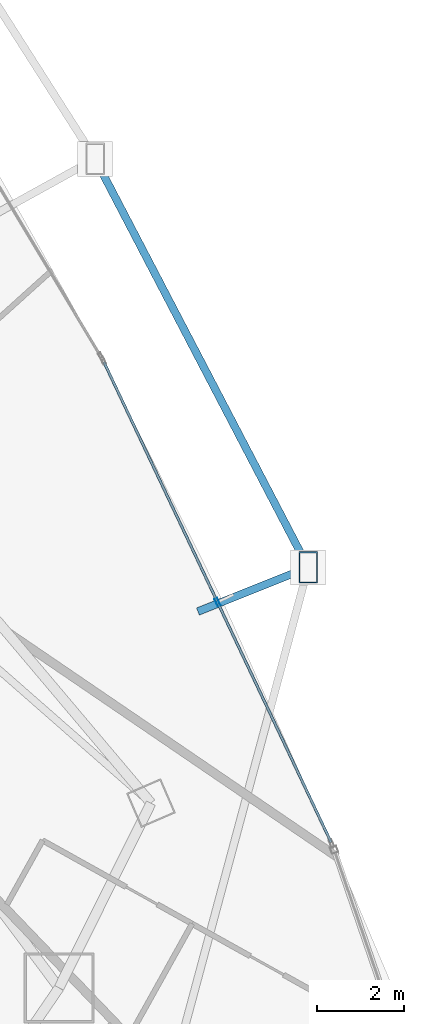
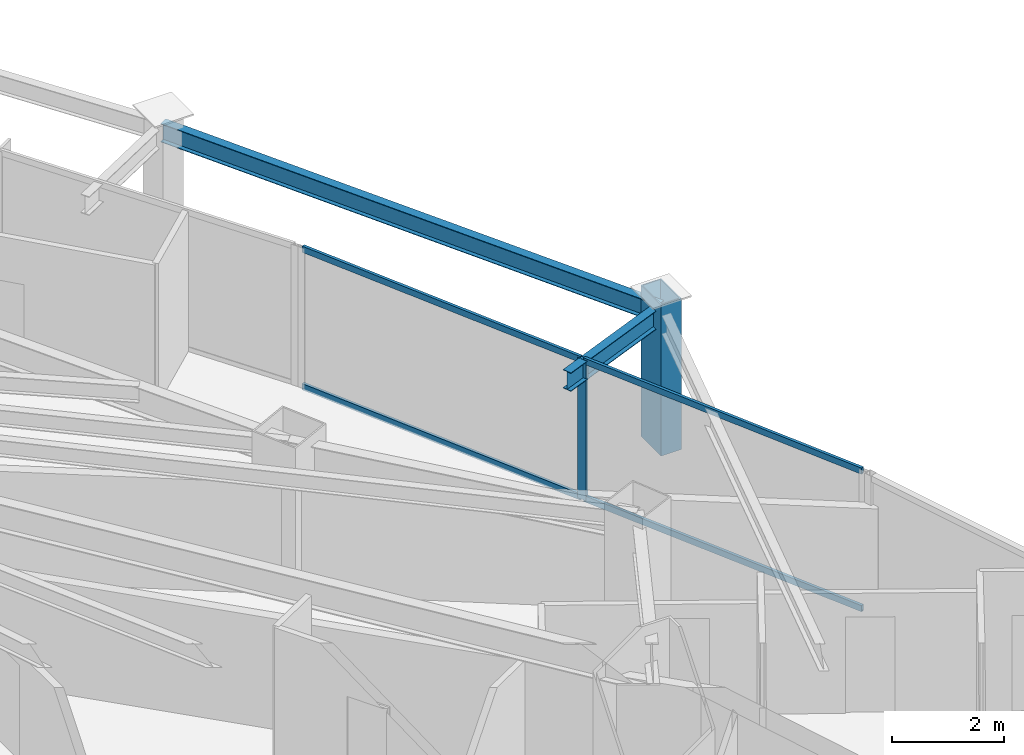
# One storey, part 19 of 34: 6 members, 2 beams, 1 element without a shape of its own.
"""IFC4 building model written with IfcOpenShell, lengths in metres."""

from ifc_helpers import new_model, si_unit, direction, frame, origin, origin_2d, place, context, subcontext, project, spatial, hollow_rectangle, i_section, extrude, material, layer, layer_set, material_profile, profile_set, type_object, element, aggregate, save


model = new_model("IFC4")

# Units and contexts
model_context = context("Model", 3, precision=1e-05, world=origin(), true_north=direction((0.0, 1.0)))
body_context = subcontext(model_context, "Body", "Model", "MODEL_VIEW")
ifc_project = project(units=[si_unit("LENGTHUNIT", "METRE"), si_unit("AREAUNIT", "SQUARE_METRE"), si_unit("VOLUMEUNIT", "CUBIC_METRE"), si_unit("PLANEANGLEUNIT", "RADIAN"), si_unit("MASSUNIT", "GRAM", prefix="KILO")], contexts=[model_context])

# Site, building, storey
site_placement = place(None, origin())
site = spatial("IfcSite", under=ifc_project, at=site_placement, CompositionType="ELEMENT")
building_placement = place(site_placement, origin())
building = spatial("IfcBuilding", under=site, at=building_placement, Name="Orvanel Arch Residences", CompositionType="ELEMENT")
storey_placement = place(building_placement, frame((0.0, 0.0, 80.75)))
storey = spatial("IfcBuildingStorey", under=building, at=storey_placement, Name="L22", CompositionType="ELEMENT", Elevation=80.75)

# Member
ifc_material_1 = material(Name="Structural steel AS/NZS 3678 Grade 350", Category="steel")
ifc_material_profile_1 = material_profile(ifc_material_1, hollow_rectangle(XDim=0.419921875, YDim=0.719970703125, WallThickness=0.02490234375, at=origin_2d()), Name="RHS720x420x25")
ifc_profile_set_1 = profile_set([ifc_material_profile_1], Name="Structural steel AS/NZS 3678 Grade 350")
member_type_1 = type_object("IfcMemberType", Name="CH-720RHS-EXT", PredefinedType="CHORD", material=ifc_profile_set_1)
member_1_placement = place(storey_placement, frame((57.50390625, 19.97509765625, 0.0), z_axis=(0.0, 0.0, 1.0), x_axis=(1.0, 0.0, 0.0)))
element("IfcMember", 1, at=member_1_placement, inside=storey, type_object=member_type_1, Name="L22 Outer Perimeter Frame Post 09", PredefinedType="CHORD", context=body_context, shape_type="SweptSolid", body=[
    extrude(hollow_rectangle(XDim=0.419921875, YDim=0.719970703125, WallThickness=0.02490234375, at=origin_2d()), origin(), (0.0, 0.0, 1.0), 3.300048828125),
])

# Curtain wall, member
ifc_material_2 = material(Name="Bronze-anodised aluminium AA6063-T6", Category="aluminium")
ifc_layer = layer(ifc_material_2, 0.179931640625)
ifc_layer_set = layer_set([ifc_layer], Name="Bronze-anodised aluminium AA6063-T6")
curtain_wall_type = type_object("IfcCurtainWallType", Name="CW2-LOW-SYS", PredefinedType="NOTDEFINED", material=ifc_layer_set)
curtain_wall_placement = place(storey_placement, origin())
curtain_wall = element("IfcCurtainWall", 2, at=curtain_wall_placement, inside=storey, type_object=curtain_wall_type, Name="L22 CW2-LOW-SYS Unitised Curtain Wall", PredefinedType="NOTDEFINED")
ifc_material_profile_2 = material_profile(ifc_material_2, hollow_rectangle(XDim=0.070068359375, YDim=0.179931640625, WallThickness=0.00439453125, at=origin_2d()), Name="ALU180x70x4.5")
ifc_profile_set_2 = profile_set([ifc_material_profile_2], Name="Bronze-anodised aluminium AA6063-T6")
member_type_2 = type_object("IfcMemberType", Name="MUL-180x70", PredefinedType="MULLION", material=ifc_profile_set_2)
member_2_placement = place(storey_placement, frame((55.428466796875, 19.178955078125, 0.0), z_axis=(0.0, 0.0, 1.0), x_axis=(-0.903971140213, -0.427593472426, 0.0)))
member_2 = element("IfcMember", 3, at=member_2_placement, type_object=member_type_2, Name="CW-S2 mullion 2", PredefinedType="MULLION", context=body_context, shape_type="SweptSolid", body=[
    extrude(hollow_rectangle(XDim=0.070068359375, YDim=0.179931640625, WallThickness=0.00439453125, at=origin_2d()), origin(), (0.0, 0.0, 1.0), 3.06005859375),
])

# Beams
ifc_material_3 = material(Name="Structural steel AS/NZS 3679.1 Grade 300 (300 MPa)", Category="steel")
ifc_material_profile_3 = material_profile(ifc_material_3, i_section(OverallWidth=0.177978515625, OverallDepth=0.406005859375, WebThickness=0.0078125, FlangeThickness=0.0126953125, at=origin_2d()), Name="410UB59.7")
ifc_profile_set_3 = profile_set([ifc_material_profile_3], Name="Structural steel AS/NZS 3679.1 Grade 300 (300 MPa)")
beam_type = type_object("IfcBeamType", Name="OB-410UB-EXT", PredefinedType="SPANDREL", material=ifc_profile_set_3)
beam_1_placement = place(storey_placement, frame((54.97998046875, 18.965087890625, 2.85693359375), z_axis=(0.928420938381, 0.371530027286, 0.0), x_axis=(-0.371530027286, 0.928420938381, 0.0)))
element("IfcBeam", 4, at=beam_1_placement, inside=storey, type_object=beam_type, Name="L22 Outer Frame Radial Tie Beam 09", PredefinedType="SPANDREL", context=body_context, shape_type="SweptSolid", body=[
    extrude(i_section(OverallWidth=0.177978515625, OverallDepth=0.406005859375, WebThickness=0.0078125, FlangeThickness=0.0126953125, at=origin_2d()), origin(), (0.0, 0.0, 1.0), 2.718505859375),
])
beam_2_placement = place(storey_placement, frame((57.50390625, 19.97509765625, 2.85693359375), z_axis=(-0.462401419994, 0.886670698054, 0.0), x_axis=(-0.886670698054, -0.462401419994, 0.0)))
element("IfcBeam", 5, at=beam_2_placement, inside=storey, type_object=beam_type, Name="L22 Outer Perimeter Floor Ring Beam 09", PredefinedType="SPANDREL", context=body_context, shape_type="SweptSolid", body=[
    extrude(i_section(OverallWidth=0.177978515625, OverallDepth=0.406005859375, WebThickness=0.0078125, FlangeThickness=0.0126953125, at=origin_2d()), origin(), (0.0, 0.0, 1.0), 10.544921875),
])

# Member
ifc_material_profile_4 = material_profile(ifc_material_2, hollow_rectangle(XDim=0.06005859375, YDim=0.135009765625, WallThickness=0.00390625, at=origin_2d()), Name="ALU135x60x4")
ifc_profile_set_4 = profile_set([ifc_material_profile_4], Name="Bronze-anodised aluminium AA6063-T6")
member_type_3 = type_object("IfcMemberType", Name="TRN-135x60", PredefinedType="USERDEFINED", material=ifc_profile_set_4)
member_3_placement = place(storey_placement, frame((58.028076171875, 13.683349609375, 0.030029296875), z_axis=(-0.427607089429, 0.903964699018, 0.0), x_axis=(-0.903964699018, -0.427607089429, 0.0)))
member_3 = element("IfcMember", 6, at=member_3_placement, type_object=member_type_3, Name="CW-S2 transom 1.1", ObjectType="TRANSOM", PredefinedType="USERDEFINED", context=body_context, shape_type="SweptSolid", body=[
    extrude(hollow_rectangle(XDim=0.06005859375, YDim=0.135009765625, WallThickness=0.00390625, at=origin_2d()), origin(), (0.0, 0.0, 1.0), 6.044677734375),
])

member_4_placement = place(storey_placement, frame((58.028076171875, 13.683349609375, 3.030029296875), z_axis=(-0.427607089429, 0.903964699018, 0.0), x_axis=(-0.903964699018, -0.427607089429, 0.0)))
member_4 = element("IfcMember", 7, at=member_4_placement, type_object=member_type_3, Name="CW-S2 transom 1.2", ObjectType="TRANSOM", PredefinedType="USERDEFINED", context=body_context, shape_type="SweptSolid", body=[
    extrude(hollow_rectangle(XDim=0.06005859375, YDim=0.135009765625, WallThickness=0.00390625, at=origin_2d()), origin(), (0.0, 0.0, 1.0), 6.044677734375),
])

member_5_placement = place(storey_placement, frame((55.41357421875, 19.210693359375, 0.030029296875), z_axis=(-0.427607089429, 0.903964699018, 0.0), x_axis=(-0.903964699018, -0.427607089429, 0.0)))
member_5 = element("IfcMember", 8, at=member_5_placement, type_object=member_type_3, Name="CW-S2 transom 2.1", ObjectType="TRANSOM", PredefinedType="USERDEFINED", context=body_context, shape_type="SweptSolid", body=[
    extrude(hollow_rectangle(XDim=0.06005859375, YDim=0.135009765625, WallThickness=0.00390625, at=origin_2d()), origin(), (0.0, 0.0, 1.0), 6.044677734375),
])

member_6_placement = place(storey_placement, frame((55.41357421875, 19.210693359375, 3.030029296875), z_axis=(-0.427607089429, 0.903964699018, 0.0), x_axis=(-0.903964699018, -0.427607089429, 0.0)))
member_6 = element("IfcMember", 9, at=member_6_placement, type_object=member_type_3, Name="CW-S2 transom 2.2", ObjectType="TRANSOM", PredefinedType="USERDEFINED", context=body_context, shape_type="SweptSolid", body=[
    extrude(hollow_rectangle(XDim=0.06005859375, YDim=0.135009765625, WallThickness=0.00390625, at=origin_2d()), origin(), (0.0, 0.0, 1.0), 6.044677734375),
])

aggregate(curtain_wall, [member_2, member_3, member_4, member_5, member_6])

save(model, "model.ifc")
